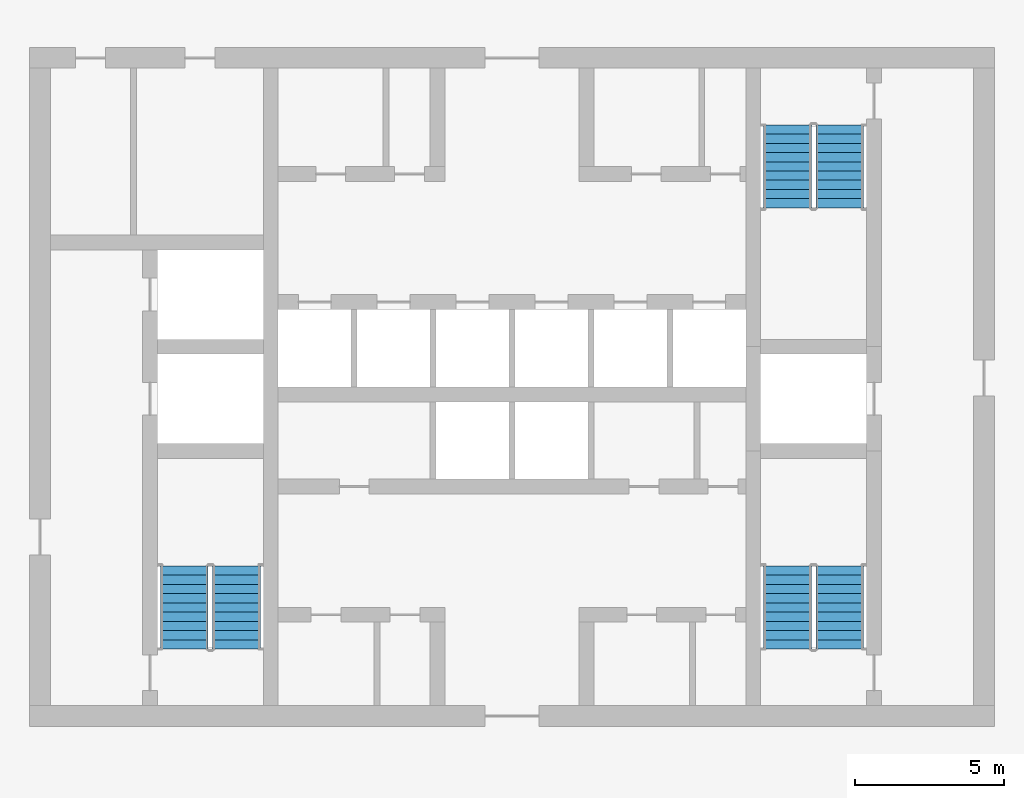
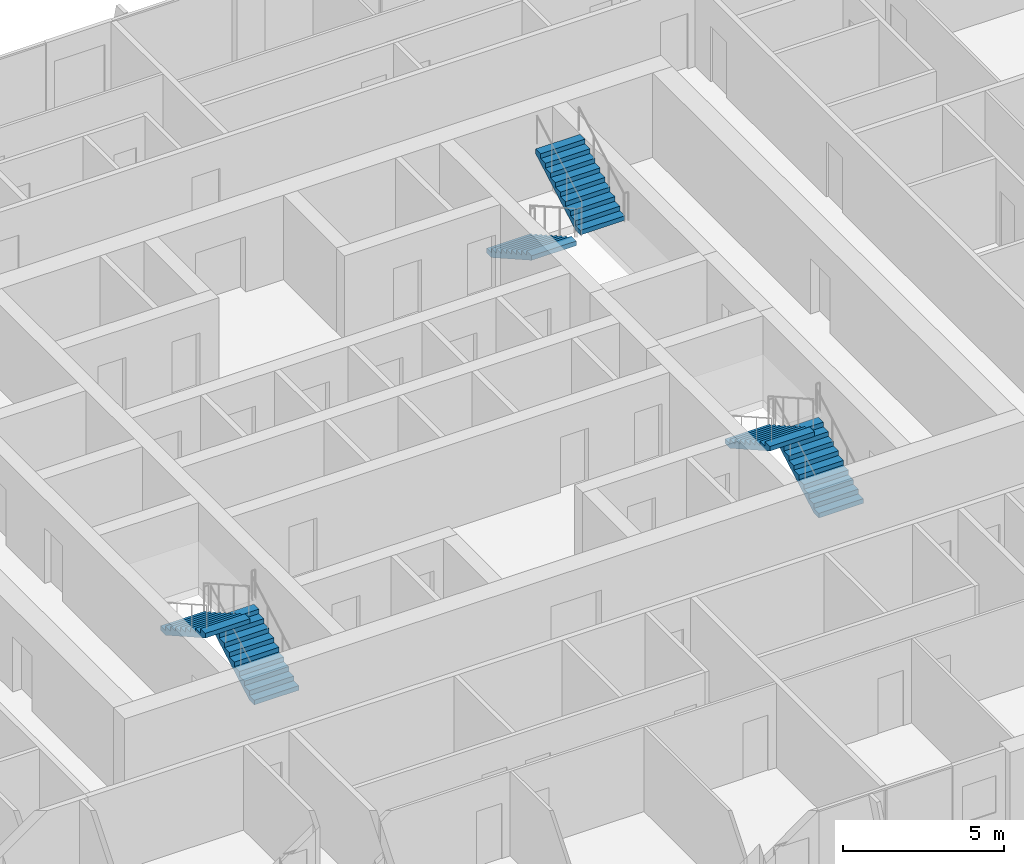
# One storey, part 16 of 22: 6 stair flights, 3 elements without a shape of their own.
"""IFC4 building model written with IfcOpenShell, lengths in metres."""

import ifcopenshell
import ifcopenshell.guid

model = None  # the IFC model being written
_history = None  # IfcOwnerHistory: only IFC2X3 demands one
_inside = {}  # id of a spatial element -> (the spatial element, [elements in it])
_under = {}  # id of a project, library or spatial element -> (it, [spatial elements below it])
_declared = {}  # id of a project -> (the project, [libraries it declares])
_typed = {}  # id of a type object -> (the type object, [elements of that type])
_made_of = {}  # id of a material, layer set ... -> (it, [elements and type objects made of it])


def new_model(schema):
    """Start an empty IFC model of exactly this schema.

    Asked for "IFC4X3", IfcOpenShell would pick the latest addendum, in which some entities
    have other attributes; the version numbers below select the first issue.
    IFC2X3 requires an IfcOwnerHistory on every rooted entity: one is made here for all.
    """
    global model, _history
    if schema == "IFC4X3":
        model = ifcopenshell.file(schema_version=(4, 3, 0, 0))
    else:
        model = ifcopenshell.file(schema=schema)
    _inside.clear()
    _under.clear()
    _declared.clear()
    _typed.clear()
    _made_of.clear()
    _history = None
    if model.schema == "IFC2X3":
        org = make("IfcOrganization", Name="unknown")
        user = make(
            "IfcPersonAndOrganization",
            ThePerson=make("IfcPerson", FamilyName="unknown"),
            TheOrganization=org,
        )
        app = make(
            "IfcApplication",
            ApplicationDeveloper=org,
            Version="unknown",
            ApplicationFullName="unknown",
            ApplicationIdentifier="unknown",
        )
        _history = make(
            "IfcOwnerHistory",
            OwningUser=user,
            OwningApplication=app,
            ChangeAction="ADDED",
            CreationDate=0,
        )
    return model


def make(cls, **values):
    """One entity of the class cls with the attributes given. An attribute that is None is left unset."""
    return model.create_entity(
        cls, **{name: value for name, value in values.items() if value is not None}
    )


def rooted(cls, **values):
    """An entity with a GlobalId (a new one), such as an element, a storey or a relation."""
    return make(cls, GlobalId=ifcopenshell.guid.new(), OwnerHistory=_history, **values)


def si_unit(unit_type, name, prefix=None):
    """IfcSIUnit, for example si_unit("LENGTHUNIT", "METRE", prefix="MILLI")."""
    return make("IfcSIUnit", UnitType=unit_type, Prefix=prefix, Name=name)


def assignment(units):
    """IfcUnitAssignment: the units of a project."""
    return None if units is None else make("IfcUnitAssignment", Units=units)


def point(xyz):
    """IfcCartesianPoint."""
    return None if xyz is None else make("IfcCartesianPoint", Coordinates=xyz)


def direction(xyz):
    """IfcDirection."""
    return None if xyz is None else make("IfcDirection", DirectionRatios=xyz)


def frame(location, z_axis=None, x_axis=None):
    """IfcAxis2Placement3D, a coordinate frame: its origin and axes. An axis left out is left unset."""
    return make(
        "IfcAxis2Placement3D",
        Location=point(location),
        Axis=direction(z_axis),
        RefDirection=direction(x_axis),
    )


def origin():
    """The frame at (0, 0, 0) with its axes left unset."""
    return frame((0.0, 0.0, 0.0))


def place(relative_to, where):
    """IfcLocalPlacement: puts the frame where relative to a parent placement (None: the world)."""
    return make(
        "IfcLocalPlacement", PlacementRelTo=relative_to, RelativePlacement=where
    )


def context(
    kind, dimensions, precision=None, world=None, true_north=None, identifier=None
):
    """IfcGeometricRepresentationContext, for example the 3D "Model" context."""
    return make(
        "IfcGeometricRepresentationContext",
        ContextIdentifier=identifier,
        ContextType=kind,
        CoordinateSpaceDimension=dimensions,
        Precision=precision,
        WorldCoordinateSystem=world,
        TrueNorth=true_north,
    )


def subcontext(parent, identifier, kind, view, scale=None):
    """IfcGeometricRepresentationSubContext, for example "Body" below "Model"."""
    return make(
        "IfcGeometricRepresentationSubContext",
        ContextIdentifier=identifier,
        ContextType=kind,
        ParentContext=parent,
        TargetScale=scale,
        TargetView=view,
    )


def project(units=None, contexts=None):
    """IfcProject with its units and contexts."""
    return rooted(
        "IfcProject",
        Name="project",
        RepresentationContexts=contexts,
        UnitsInContext=assignment(units),
    )


def spatial(cls, under=None, at=None, **own):
    """A site, building, storey or space (cls), placed at a placement, below another one or the project."""
    s = rooted(cls, ObjectPlacement=at, **own)
    if under is not None:
        _under.setdefault(under.id(), (under, []))[1].append(s)
    return s


def polyline(points):
    """IfcPolyline through the points."""
    return make("IfcPolyline", Points=[point(p) for p in points])


def outline(outer, holes=None, kind="AREA"):
    """IfcArbitraryClosedProfileDef: a profile drawn as a closed curve; with holes, ...WithVoids."""
    if holes is None:
        return make("IfcArbitraryClosedProfileDef", ProfileType=kind, OuterCurve=outer)
    return make(
        "IfcArbitraryProfileDefWithVoids",
        ProfileType=kind,
        OuterCurve=outer,
        InnerCurves=holes,
    )


def extrude(swept, where, along, depth):
    """IfcExtrudedAreaSolid: the profile swept, set in the frame where, extruded along a direction by depth."""
    return make(
        "IfcExtrudedAreaSolid",
        SweptArea=swept,
        Position=where,
        ExtrudedDirection=direction(along),
        Depth=depth,
    )


def shape(context_of_items, identifier, shape_type, items):
    """IfcShapeRepresentation: the items that make up one representation, for example the "Body"."""
    return make(
        "IfcShapeRepresentation",
        ContextOfItems=context_of_items,
        RepresentationIdentifier=identifier,
        RepresentationType=shape_type,
        Items=items,
    )


def material(Name=None, Category=None):
    """IfcMaterial."""
    return make("IfcMaterial", Name=Name, Category=Category)


def made_of(thing, what):
    """Note that an element or type object is made of a material, layer set ...; save() writes the relation."""
    if what is not None:
        _made_of.setdefault(what.id(), (what, []))[1].append(thing)
    return thing


def type_object(cls, material=None, **own):
    """A type object (cls), such as IfcWallType, which elements share."""
    return made_of(rooted(cls, **own), material)


def element(
    cls,
    number,
    at=None,
    inside=None,
    cuts=None,
    type_object=None,
    material=None,
    context=None,
    identifier="Body",
    shape_type=None,
    held_by="IfcProductDefinitionShape",
    body=None,
    shapes=None,
    **own,
):
    """One element of the class cls, such as IfcWall. Its Tag is "e" and its number.

    at: its placement. inside: the storey or other place that contains it. cuts: it is an
    opening in that element (IfcRelVoidsElement). A single representation is given by context,
    identifier, shape_type and body (its items); several are given by shapes. held_by: the class
    of the entity that holds the representations. save() writes the other relations.
    """
    e = rooted(cls, Tag="e%d" % number, ObjectPlacement=at, **own)
    if body is not None:
        shapes = [shape(context, identifier, shape_type, body)]
    if shapes is not None:
        e.Representation = make(held_by, Representations=shapes)
    if inside is not None:
        _inside.setdefault(inside.id(), (inside, []))[1].append(e)
    if cuts is not None:
        rooted(
            "IfcRelVoidsElement", RelatingBuildingElement=cuts, RelatedOpeningElement=e
        )
    if type_object is not None:
        _typed.setdefault(type_object.id(), (type_object, []))[1].append(e)
    return made_of(e, material)


def aggregate(whole, parts):
    """IfcRelAggregates: a whole, such as a stair, and the parts it consists of."""
    return rooted("IfcRelAggregates", RelatingObject=whole, RelatedObjects=parts)


def save(model, path):
    """Write the relations noted so far, then the file.

    IfcRelAggregates (storeys below a building ...), IfcRelContainedInSpatialStructure (elements
    in a storey), IfcRelDefinesByType, IfcRelAssociatesMaterial and IfcRelDeclares: one each for
    every whole, place, type object, material and project.
    """
    for whole, parts in _under.values():
        aggregate(whole, parts)
    for where, things in _inside.values():
        rooted(
            "IfcRelContainedInSpatialStructure",
            RelatedElements=things,
            RelatingStructure=where,
        )
    for kind, things in _typed.values():
        rooted("IfcRelDefinesByType", RelatedObjects=things, RelatingType=kind)
    for what, things in _made_of.values():
        rooted("IfcRelAssociatesMaterial", RelatedObjects=things, RelatingMaterial=what)
    for by, libraries in _declared.values():
        rooted("IfcRelDeclares", RelatingContext=by, RelatedDefinitions=libraries)
    model.write(path)


model = new_model("IFC4")

# Units and contexts
model_context = context("Model", 3, precision=1e-05, world=origin(), true_north=direction((0.0, 1.0)))
body_context = subcontext(model_context, "Body", "Model", "MODEL_VIEW")
ifc_project = project(units=[si_unit("LENGTHUNIT", "METRE"), si_unit("AREAUNIT", "SQUARE_METRE"), si_unit("VOLUMEUNIT", "CUBIC_METRE"), si_unit("PLANEANGLEUNIT", "RADIAN"), si_unit("MASSUNIT", "GRAM", prefix="KILO")], contexts=[model_context])

# Site, building, storey
site_placement = place(None, origin())
site = spatial("IfcSite", under=ifc_project, at=site_placement, CompositionType="ELEMENT")
building_placement = place(site_placement, origin())
building = spatial("IfcBuilding", under=site, at=building_placement, Name="Madar Terraces", CompositionType="ELEMENT")
storey_placement = place(building_placement, frame((0.0, 0.0, 182.39990234375)))
storey = spatial("IfcBuildingStorey", under=building, at=storey_placement, Name="L47", CompositionType="ELEMENT", Elevation=182.39990234375)

# Stair, stair flights
ifc_material_1 = material(Name="Concrete C50/60", Category="concrete")
stair_type_1 = type_object("IfcStairType", Name="Stair ST1 protected exit", PredefinedType="HALF_TURN_STAIR", material=ifc_material_1)
stair_1_placement = place(storey_placement, origin())
stair_1 = element("IfcStair", 1, at=stair_1_placement, inside=storey, type_object=stair_type_1, Name="L47 Protected Exit Stair ST1", PredefinedType="HALF_TURN_STAIR")
ifc_material_2 = material(Name="Concrete C50/60", Category="concrete")
stair_flight_type_1 = type_object("IfcStairFlightType", Name="Stair flight ST1-F4, 1600 wide, 10 risers", PredefinedType="STRAIGHT", material=ifc_material_2)
stair_flight_1_placement = place(storey_placement, frame((21.949951171875, 17.60009765625, 0.0), z_axis=(0.0, 0.0, 1.0), x_axis=(0.0, 1.0, 0.0)))
stair_flight_1 = element("IfcStairFlight", 2, at=stair_flight_1_placement, type_object=stair_flight_type_1, Name="ST1 flight 1", NumberOfRisers=10, NumberOfTreads=9, PredefinedType="STRAIGHT", RiserHeight=0.175, TreadLength=0.31, context=body_context, shape_type="SweptSolid", body=[
    extrude(outline(polyline([(0.0, 0.0), (0.0, 0.175048828125), (0.31005859375, 0.175048828125), (0.31005859375, 0.35009765625), (0.6201171875, 0.35009765625), (0.6201171875, 0.52490234375), (0.929931640625, 0.52490234375), (0.929931640625, 0.699951171875), (1.239990234375, 0.699951171875), (1.239990234375, 0.875), (1.550048828125, 0.875), (1.550048828125, 1.050048828125), (1.860107421875, 1.050048828125), (1.860107421875, 1.22509765625), (2.169921875, 1.22509765625), (2.169921875, 1.39990234375), (2.47998046875, 1.39990234375), (2.47998046875, 1.574951171875), (2.7900390625, 1.574951171875), (2.7900390625, 1.75), (2.7900390625, 1.40283203125), (0.304931640625, 0.0), (0.0, 0.0)])), frame((0.0, 0.800048828125, 0.0), z_axis=(0.0, -1.0, 0.0), x_axis=(1.0, 0.0, 0.0)), (0.0, 0.0, 1.0), 1.60009765625),
])
stair_flight_2_placement = place(storey_placement, frame((20.199951171875, 20.389892578125, 1.75), z_axis=(0.0, 0.0, 1.0), x_axis=(0.0, -1.0, 0.0)))
stair_flight_2 = element("IfcStairFlight", 3, at=stair_flight_2_placement, type_object=stair_flight_type_1, Name="ST1 flight 2", NumberOfRisers=10, NumberOfTreads=9, PredefinedType="STRAIGHT", RiserHeight=0.175, TreadLength=0.31, context=body_context, shape_type="SweptSolid", body=[
    extrude(outline(polyline([(0.0, 0.0), (0.0, 0.175048828125), (0.31005859375, 0.175048828125), (0.31005859375, 0.35009765625), (0.6201171875, 0.35009765625), (0.6201171875, 0.52490234375), (0.929931640625, 0.52490234375), (0.929931640625, 0.699951171875), (1.239990234375, 0.699951171875), (1.239990234375, 0.875), (1.550048828125, 0.875), (1.550048828125, 1.050048828125), (1.860107421875, 1.050048828125), (1.860107421875, 1.22509765625), (2.169921875, 1.22509765625), (2.169921875, 1.39990234375), (2.47998046875, 1.39990234375), (2.47998046875, 1.574951171875), (2.7900390625, 1.574951171875), (2.7900390625, 1.75), (2.7900390625, 1.40283203125), (0.304931640625, 0.0), (0.0, 0.0)])), frame((0.0, 0.800048828125, 0.0), z_axis=(0.0, -1.0, 0.0), x_axis=(1.0, 0.0, 0.0)), (0.0, 0.0, 1.0), 1.60009765625),
])
aggregate(stair_1, [stair_flight_1, stair_flight_2])

ifc_material_3 = material(Name="Concrete C50/60", Category="concrete")
stair_type_2 = type_object("IfcStairType", Name="Stair ST2 protected exit", PredefinedType="HALF_TURN_STAIR", material=ifc_material_3)
stair_2_placement = place(storey_placement, origin())
stair_2 = element("IfcStair", 4, at=stair_2_placement, inside=storey, type_object=stair_type_2, Name="L47 Protected Exit Stair ST2", PredefinedType="HALF_TURN_STAIR")
ifc_material_4 = material(Name="Concrete C50/60", Category="concrete")
stair_flight_type_2 = type_object("IfcStairFlightType", Name="Stair flight ST2-F4, 1600 wide, 10 risers", PredefinedType="STRAIGHT", material=ifc_material_4)
stair_flight_3_placement = place(storey_placement, frame((40.449951171875, 35.199951171875, 0.0), z_axis=(0.0, 0.0, 1.0), x_axis=(0.0, -1.0, 0.0)))
stair_flight_3 = element("IfcStairFlight", 5, at=stair_flight_3_placement, type_object=stair_flight_type_2, Name="ST2 flight 1", NumberOfRisers=10, NumberOfTreads=9, PredefinedType="STRAIGHT", RiserHeight=0.175, TreadLength=0.31, context=body_context, shape_type="SweptSolid", body=[
    extrude(outline(polyline([(0.0, 0.0), (0.0, 0.175048828125), (0.31005859375, 0.175048828125), (0.31005859375, 0.35009765625), (0.6201171875, 0.35009765625), (0.6201171875, 0.52490234375), (0.929931640625, 0.52490234375), (0.929931640625, 0.699951171875), (1.239990234375, 0.699951171875), (1.239990234375, 0.875), (1.550048828125, 0.875), (1.550048828125, 1.050048828125), (1.860107421875, 1.050048828125), (1.860107421875, 1.22509765625), (2.169921875, 1.22509765625), (2.169921875, 1.39990234375), (2.47998046875, 1.39990234375), (2.47998046875, 1.574951171875), (2.7900390625, 1.574951171875), (2.7900390625, 1.75), (2.7900390625, 1.40283203125), (0.304931640625, 0.0), (0.0, 0.0)])), frame((0.0, 0.800048828125, 0.0), z_axis=(0.0, -1.0, 0.0), x_axis=(1.0, 0.0, 0.0)), (0.0, 0.0, 1.0), 1.60009765625),
])
stair_flight_4_placement = place(storey_placement, frame((42.199951171875, 32.409912109375, 1.75), z_axis=(0.0, 0.0, 1.0), x_axis=(0.0, 1.0, 0.0)))
stair_flight_4 = element("IfcStairFlight", 6, at=stair_flight_4_placement, type_object=stair_flight_type_2, Name="ST2 flight 2", NumberOfRisers=10, NumberOfTreads=9, PredefinedType="STRAIGHT", RiserHeight=0.175, TreadLength=0.31, context=body_context, shape_type="SweptSolid", body=[
    extrude(outline(polyline([(0.0, 0.0), (0.0, 0.175048828125), (0.31005859375, 0.175048828125), (0.31005859375, 0.35009765625), (0.6201171875, 0.35009765625), (0.6201171875, 0.52490234375), (0.929931640625, 0.52490234375), (0.929931640625, 0.699951171875), (1.239990234375, 0.699951171875), (1.239990234375, 0.875), (1.550048828125, 0.875), (1.550048828125, 1.050048828125), (1.860107421875, 1.050048828125), (1.860107421875, 1.22509765625), (2.169921875, 1.22509765625), (2.169921875, 1.39990234375), (2.47998046875, 1.39990234375), (2.47998046875, 1.574951171875), (2.7900390625, 1.574951171875), (2.7900390625, 1.75), (2.7900390625, 1.40283203125), (0.304931640625, 0.0), (0.0, 0.0)])), frame((0.0, 0.800048828125, 0.0), z_axis=(0.0, -1.0, 0.0), x_axis=(1.0, 0.0, 0.0)), (0.0, 0.0, 1.0), 1.60009765625),
])
aggregate(stair_2, [stair_flight_3, stair_flight_4])

ifc_material_5 = material(Name="Concrete C50/60", Category="concrete")
stair_type_3 = type_object("IfcStairType", Name="Stair ST3 protected exit", PredefinedType="HALF_TURN_STAIR", material=ifc_material_5)
stair_3_placement = place(storey_placement, origin())
stair_3 = element("IfcStair", 7, at=stair_3_placement, inside=storey, type_object=stair_type_3, Name="L47 Protected Exit Stair ST3", PredefinedType="HALF_TURN_STAIR")
ifc_material_6 = material(Name="Concrete C50/60", Category="concrete")
stair_flight_type_3 = type_object("IfcStairFlightType", Name="Stair flight ST3-F4, 1600 wide, 10 risers", PredefinedType="STRAIGHT", material=ifc_material_6)
stair_flight_5_placement = place(storey_placement, frame((42.199951171875, 17.60009765625, 0.0), z_axis=(0.0, 0.0, 1.0), x_axis=(0.0, 1.0, 0.0)))
stair_flight_5 = element("IfcStairFlight", 8, at=stair_flight_5_placement, type_object=stair_flight_type_3, Name="ST3 flight 1", NumberOfRisers=10, NumberOfTreads=9, PredefinedType="STRAIGHT", RiserHeight=0.175, TreadLength=0.31, context=body_context, shape_type="SweptSolid", body=[
    extrude(outline(polyline([(0.0, 0.0), (0.0, 0.175048828125), (0.31005859375, 0.175048828125), (0.31005859375, 0.35009765625), (0.6201171875, 0.35009765625), (0.6201171875, 0.52490234375), (0.929931640625, 0.52490234375), (0.929931640625, 0.699951171875), (1.239990234375, 0.699951171875), (1.239990234375, 0.875), (1.550048828125, 0.875), (1.550048828125, 1.050048828125), (1.860107421875, 1.050048828125), (1.860107421875, 1.22509765625), (2.169921875, 1.22509765625), (2.169921875, 1.39990234375), (2.47998046875, 1.39990234375), (2.47998046875, 1.574951171875), (2.7900390625, 1.574951171875), (2.7900390625, 1.75), (2.7900390625, 1.40283203125), (0.304931640625, 0.0), (0.0, 0.0)])), frame((0.0, 0.800048828125, 0.0), z_axis=(0.0, -1.0, 0.0), x_axis=(1.0, 0.0, 0.0)), (0.0, 0.0, 1.0), 1.60009765625),
])
stair_flight_6_placement = place(storey_placement, frame((40.449951171875, 20.389892578125, 1.75), z_axis=(0.0, 0.0, 1.0), x_axis=(0.0, -1.0, 0.0)))
stair_flight_6 = element("IfcStairFlight", 9, at=stair_flight_6_placement, type_object=stair_flight_type_3, Name="ST3 flight 2", NumberOfRisers=10, NumberOfTreads=9, PredefinedType="STRAIGHT", RiserHeight=0.175, TreadLength=0.31, context=body_context, shape_type="SweptSolid", body=[
    extrude(outline(polyline([(0.0, 0.0), (0.0, 0.175048828125), (0.31005859375, 0.175048828125), (0.31005859375, 0.35009765625), (0.6201171875, 0.35009765625), (0.6201171875, 0.52490234375), (0.929931640625, 0.52490234375), (0.929931640625, 0.699951171875), (1.239990234375, 0.699951171875), (1.239990234375, 0.875), (1.550048828125, 0.875), (1.550048828125, 1.050048828125), (1.860107421875, 1.050048828125), (1.860107421875, 1.22509765625), (2.169921875, 1.22509765625), (2.169921875, 1.39990234375), (2.47998046875, 1.39990234375), (2.47998046875, 1.574951171875), (2.7900390625, 1.574951171875), (2.7900390625, 1.75), (2.7900390625, 1.40283203125), (0.304931640625, 0.0), (0.0, 0.0)])), frame((0.0, 0.800048828125, 0.0), z_axis=(0.0, -1.0, 0.0), x_axis=(1.0, 0.0, 0.0)), (0.0, 0.0, 1.0), 1.60009765625),
])
aggregate(stair_3, [stair_flight_5, stair_flight_6])

save(model, "model.ifc")
